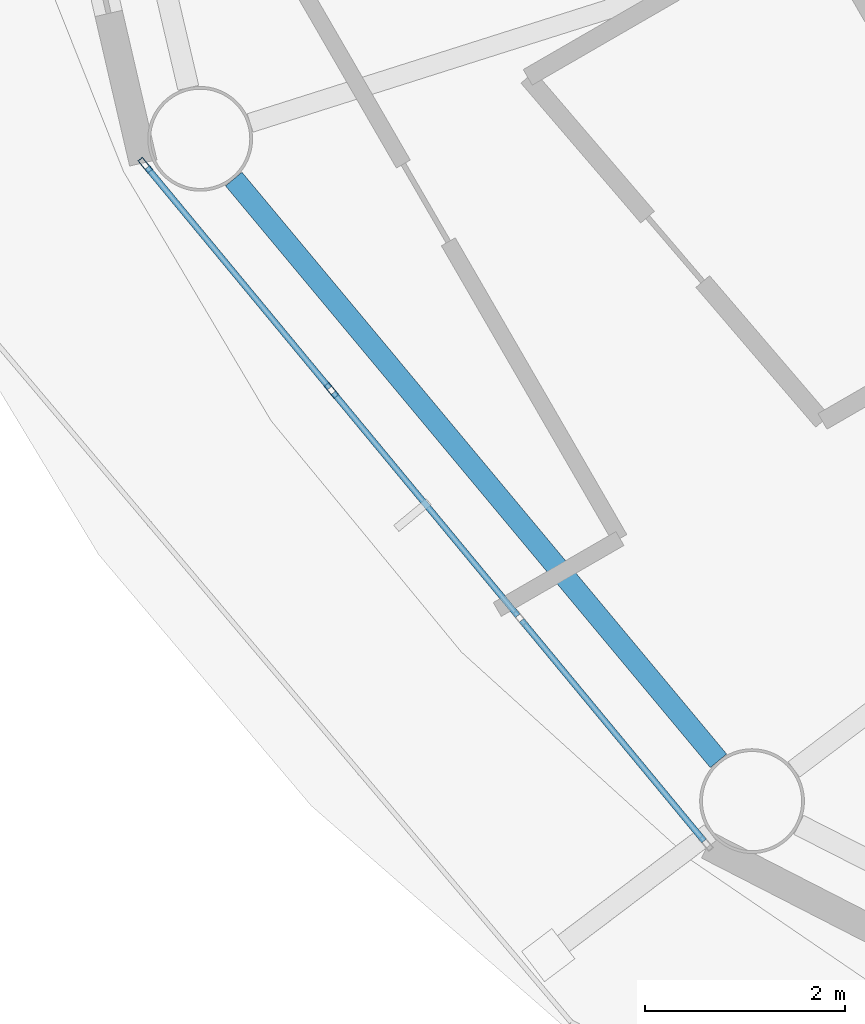
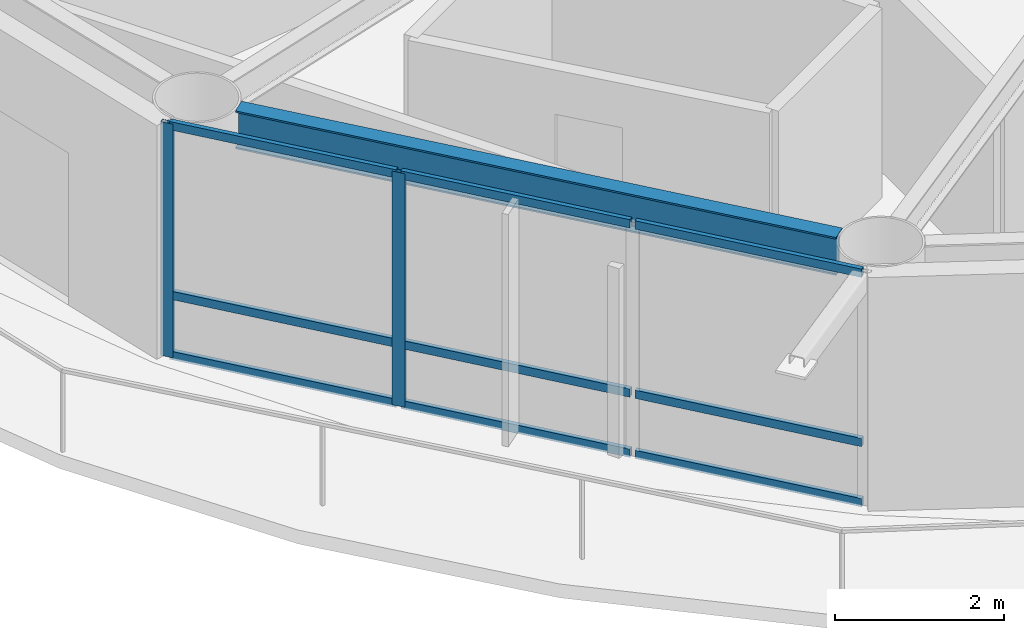
# One storey, part 3 of 28: 11 members, 1 beam, 1 element without a shape of its own.
"""IFC4 building model written with IfcOpenShell, lengths in metres."""

import ifcopenshell
import ifcopenshell.guid

model = None  # the IFC model being written
_history = None  # IfcOwnerHistory: only IFC2X3 demands one
_inside = {}  # id of a spatial element -> (the spatial element, [elements in it])
_under = {}  # id of a project, library or spatial element -> (it, [spatial elements below it])
_declared = {}  # id of a project -> (the project, [libraries it declares])
_typed = {}  # id of a type object -> (the type object, [elements of that type])
_made_of = {}  # id of a material, layer set ... -> (it, [elements and type objects made of it])


def new_model(schema):
    """Start an empty IFC model of exactly this schema.

    Asked for "IFC4X3", IfcOpenShell would pick the latest addendum, in which some entities
    have other attributes; the version numbers below select the first issue.
    IFC2X3 requires an IfcOwnerHistory on every rooted entity: one is made here for all.
    """
    global model, _history
    if schema == "IFC4X3":
        model = ifcopenshell.file(schema_version=(4, 3, 0, 0))
    else:
        model = ifcopenshell.file(schema=schema)
    _inside.clear()
    _under.clear()
    _declared.clear()
    _typed.clear()
    _made_of.clear()
    _history = None
    if model.schema == "IFC2X3":
        org = make("IfcOrganization", Name="unknown")
        user = make(
            "IfcPersonAndOrganization",
            ThePerson=make("IfcPerson", FamilyName="unknown"),
            TheOrganization=org,
        )
        app = make(
            "IfcApplication",
            ApplicationDeveloper=org,
            Version="unknown",
            ApplicationFullName="unknown",
            ApplicationIdentifier="unknown",
        )
        _history = make(
            "IfcOwnerHistory",
            OwningUser=user,
            OwningApplication=app,
            ChangeAction="ADDED",
            CreationDate=0,
        )
    return model


def make(cls, **values):
    """One entity of the class cls with the attributes given. An attribute that is None is left unset."""
    return model.create_entity(
        cls, **{name: value for name, value in values.items() if value is not None}
    )


def rooted(cls, **values):
    """An entity with a GlobalId (a new one), such as an element, a storey or a relation."""
    return make(cls, GlobalId=ifcopenshell.guid.new(), OwnerHistory=_history, **values)


def si_unit(unit_type, name, prefix=None):
    """IfcSIUnit, for example si_unit("LENGTHUNIT", "METRE", prefix="MILLI")."""
    return make("IfcSIUnit", UnitType=unit_type, Prefix=prefix, Name=name)


def assignment(units):
    """IfcUnitAssignment: the units of a project."""
    return None if units is None else make("IfcUnitAssignment", Units=units)


def point(xyz):
    """IfcCartesianPoint."""
    return None if xyz is None else make("IfcCartesianPoint", Coordinates=xyz)


def direction(xyz):
    """IfcDirection."""
    return None if xyz is None else make("IfcDirection", DirectionRatios=xyz)


def frame(location, z_axis=None, x_axis=None):
    """IfcAxis2Placement3D, a coordinate frame: its origin and axes. An axis left out is left unset."""
    return make(
        "IfcAxis2Placement3D",
        Location=point(location),
        Axis=direction(z_axis),
        RefDirection=direction(x_axis),
    )


def frame_2d(location, x_axis=None):
    """IfcAxis2Placement2D, a coordinate frame in the plane: its origin and x axis."""
    return make(
        "IfcAxis2Placement2D", Location=point(location), RefDirection=direction(x_axis)
    )


def origin():
    """The frame at (0, 0, 0) with its axes left unset."""
    return frame((0.0, 0.0, 0.0))


def origin_2d():
    """The frame at (0, 0) in the plane with its x axis left unset."""
    return frame_2d((0.0, 0.0))


def place(relative_to, where):
    """IfcLocalPlacement: puts the frame where relative to a parent placement (None: the world)."""
    return make(
        "IfcLocalPlacement", PlacementRelTo=relative_to, RelativePlacement=where
    )


def context(
    kind, dimensions, precision=None, world=None, true_north=None, identifier=None
):
    """IfcGeometricRepresentationContext, for example the 3D "Model" context."""
    return make(
        "IfcGeometricRepresentationContext",
        ContextIdentifier=identifier,
        ContextType=kind,
        CoordinateSpaceDimension=dimensions,
        Precision=precision,
        WorldCoordinateSystem=world,
        TrueNorth=true_north,
    )


def subcontext(parent, identifier, kind, view, scale=None):
    """IfcGeometricRepresentationSubContext, for example "Body" below "Model"."""
    return make(
        "IfcGeometricRepresentationSubContext",
        ContextIdentifier=identifier,
        ContextType=kind,
        ParentContext=parent,
        TargetScale=scale,
        TargetView=view,
    )


def project(units=None, contexts=None):
    """IfcProject with its units and contexts."""
    return rooted(
        "IfcProject",
        Name="project",
        RepresentationContexts=contexts,
        UnitsInContext=assignment(units),
    )


def spatial(cls, under=None, at=None, **own):
    """A site, building, storey or space (cls), placed at a placement, below another one or the project."""
    s = rooted(cls, ObjectPlacement=at, **own)
    if under is not None:
        _under.setdefault(under.id(), (under, []))[1].append(s)
    return s


def profile(cls, at=None, kind="AREA", **sizes):
    """A parametric profile (cls). Its sizes go by their IFC names, for example OverallWidth=200.0."""
    return make(cls, ProfileType=kind, Position=at, **sizes)


def hollow_rectangle(**sizes):
    """IfcRectangleHollowProfileDef."""
    return profile("IfcRectangleHollowProfileDef", **sizes)


def i_section(**sizes):
    """IfcIShapeProfileDef."""
    return profile("IfcIShapeProfileDef", **sizes)


def extrude(swept, where, along, depth):
    """IfcExtrudedAreaSolid: the profile swept, set in the frame where, extruded along a direction by depth."""
    return make(
        "IfcExtrudedAreaSolid",
        SweptArea=swept,
        Position=where,
        ExtrudedDirection=direction(along),
        Depth=depth,
    )


def shape(context_of_items, identifier, shape_type, items):
    """IfcShapeRepresentation: the items that make up one representation, for example the "Body"."""
    return make(
        "IfcShapeRepresentation",
        ContextOfItems=context_of_items,
        RepresentationIdentifier=identifier,
        RepresentationType=shape_type,
        Items=items,
    )


def material(Name=None, Category=None):
    """IfcMaterial."""
    return make("IfcMaterial", Name=Name, Category=Category)


def layer(
    of_material, thickness, ventilated=None, Name=None, Category=None, Priority=None
):
    """IfcMaterialLayer: one layer of a wall or slab, of a material (None: an air gap)."""
    return make(
        "IfcMaterialLayer",
        Material=of_material,
        LayerThickness=thickness,
        IsVentilated=ventilated,
        Name=Name,
        Category=Category,
        Priority=Priority,
    )


def layer_set(layers, Name=None):
    """IfcMaterialLayerSet."""
    return make("IfcMaterialLayerSet", MaterialLayers=layers, LayerSetName=Name)


def material_profile(
    of_material, cross_section, Name=None, Category=None, Priority=None
):
    """IfcMaterialProfile: a cross section and its material."""
    return make(
        "IfcMaterialProfile",
        Name=Name,
        Material=of_material,
        Profile=cross_section,
        Priority=Priority,
        Category=Category,
    )


def profile_set(profiles, Name=None, composite=None):
    """IfcMaterialProfileSet."""
    return make(
        "IfcMaterialProfileSet",
        Name=Name,
        MaterialProfiles=profiles,
        CompositeProfile=composite,
    )


def made_of(thing, what):
    """Note that an element or type object is made of a material, layer set ...; save() writes the relation."""
    if what is not None:
        _made_of.setdefault(what.id(), (what, []))[1].append(thing)
    return thing


def type_object(cls, material=None, **own):
    """A type object (cls), such as IfcWallType, which elements share."""
    return made_of(rooted(cls, **own), material)


def element(
    cls,
    number,
    at=None,
    inside=None,
    cuts=None,
    type_object=None,
    material=None,
    context=None,
    identifier="Body",
    shape_type=None,
    held_by="IfcProductDefinitionShape",
    body=None,
    shapes=None,
    **own,
):
    """One element of the class cls, such as IfcWall. Its Tag is "e" and its number.

    at: its placement. inside: the storey or other place that contains it. cuts: it is an
    opening in that element (IfcRelVoidsElement). A single representation is given by context,
    identifier, shape_type and body (its items); several are given by shapes. held_by: the class
    of the entity that holds the representations. save() writes the other relations.
    """
    e = rooted(cls, Tag="e%d" % number, ObjectPlacement=at, **own)
    if body is not None:
        shapes = [shape(context, identifier, shape_type, body)]
    if shapes is not None:
        e.Representation = make(held_by, Representations=shapes)
    if inside is not None:
        _inside.setdefault(inside.id(), (inside, []))[1].append(e)
    if cuts is not None:
        rooted(
            "IfcRelVoidsElement", RelatingBuildingElement=cuts, RelatedOpeningElement=e
        )
    if type_object is not None:
        _typed.setdefault(type_object.id(), (type_object, []))[1].append(e)
    return made_of(e, material)


def aggregate(whole, parts):
    """IfcRelAggregates: a whole, such as a stair, and the parts it consists of."""
    return rooted("IfcRelAggregates", RelatingObject=whole, RelatedObjects=parts)


def save(model, path):
    """Write the relations noted so far, then the file.

    IfcRelAggregates (storeys below a building ...), IfcRelContainedInSpatialStructure (elements
    in a storey), IfcRelDefinesByType, IfcRelAssociatesMaterial and IfcRelDeclares: one each for
    every whole, place, type object, material and project.
    """
    for whole, parts in _under.values():
        aggregate(whole, parts)
    for where, things in _inside.values():
        rooted(
            "IfcRelContainedInSpatialStructure",
            RelatedElements=things,
            RelatingStructure=where,
        )
    for kind, things in _typed.values():
        rooted("IfcRelDefinesByType", RelatedObjects=things, RelatingType=kind)
    for what, things in _made_of.values():
        rooted("IfcRelAssociatesMaterial", RelatedObjects=things, RelatingMaterial=what)
    for by, libraries in _declared.values():
        rooted("IfcRelDeclares", RelatingContext=by, RelatedDefinitions=libraries)
    model.write(path)


model = new_model("IFC4")

# Units and contexts
model_context = context("Model", 3, precision=1e-05, world=origin(), true_north=direction((0.0, 1.0)))
body_context = subcontext(model_context, "Body", "Model", "MODEL_VIEW")
ifc_project = project(units=[si_unit("LENGTHUNIT", "METRE"), si_unit("AREAUNIT", "SQUARE_METRE"), si_unit("VOLUMEUNIT", "CUBIC_METRE"), si_unit("PLANEANGLEUNIT", "RADIAN"), si_unit("MASSUNIT", "GRAM", prefix="KILO")], contexts=[model_context])

# Site, building, storey
site_placement = place(None, origin())
site = spatial("IfcSite", under=ifc_project, at=site_placement, CompositionType="ELEMENT")
building_placement = place(site_placement, origin())
building = spatial("IfcBuilding", under=site, at=building_placement, Name="Sarneth Arch Tower", CompositionType="ELEMENT")
storey_placement = place(building_placement, frame((0.0, 0.0, 172.199951171875)))
storey = spatial("IfcBuildingStorey", under=building, at=storey_placement, Name="L43", CompositionType="ELEMENT", Elevation=172.199951171875)

# Beam
ifc_material_1 = material(Name="Steel S355", Category="steel")
ifc_material_profile_1 = material_profile(ifc_material_1, i_section(OverallWidth=0.214111328125, OverallDepth=0.549072265625, WebThickness=0.0146484375, FlangeThickness=0.023681640625, FilletRadius=0.01806640625, at=origin_2d()), Name="W530x138")
ifc_profile_set_1 = profile_set([ifc_material_profile_1], Name="Steel S355")
beam_type = type_object("IfcBeamType", Name="BM-RAD-530A", PredefinedType="BEAM", material=ifc_profile_set_1)
beam_placement = place(storey_placement, frame((23.673828125, 33.770751953125, 3.10546875), z_axis=(0.640171737024, -0.768231831621, 0.0), x_axis=(0.768231831621, 0.640171737024, 0.0)))
element("IfcBeam", 1, at=beam_placement, inside=storey, type_object=beam_type, Name="L43 Perimeter spandrel beam 10", PredefinedType="BEAM", context=body_context, shape_type="SweptSolid", body=[
    extrude(i_section(OverallWidth=0.214111328125, OverallDepth=0.549072265625, WebThickness=0.0146484375, FlangeThickness=0.023681640625, FilletRadius=0.01806640625, at=origin_2d()), origin(), (0.0, 0.0, 1.0), 7.585693359375),
])

# Curtain wall, members
ifc_material_2 = material(Name="Anodised aluminium Type AA25 and solar-control low-e laminated IGU", Category="aluminium")
ifc_layer = layer(ifc_material_2, 0.169921875)
ifc_layer_set = layer_set([ifc_layer], Name="Anodised aluminium Type AA25 and solar-control low-e laminated IGU")
curtain_wall_type = type_object("IfcCurtainWallType", Name="CW-RES-MID", PredefinedType="NOTDEFINED", material=ifc_layer_set)
curtain_wall_placement = place(storey_placement, origin())
curtain_wall = element("IfcCurtainWall", 2, at=curtain_wall_placement, inside=storey, type_object=curtain_wall_type, Name="L43 Unitised curtain wall facet 10", PredefinedType="NOTDEFINED")
ifc_material_3 = material(Name="Anodised Aluminium 6063-T6", Category="aluminium")
ifc_material_profile_2 = material_profile(ifc_material_3, hollow_rectangle(XDim=0.06005859375, YDim=0.159912109375, WallThickness=0.00390625, at=origin_2d()), Name="AL-MULL-160x60x4")
ifc_profile_set_2 = profile_set([ifc_material_profile_2], Name="Anodised Aluminium 6063-T6")
member_type_1 = type_object("IfcMemberType", Name="CW-MULLION", PredefinedType="MULLION", material=ifc_profile_set_2)
member_1_placement = place(storey_placement, frame((22.786865234375, 33.909912109375, 0.0), z_axis=(0.0, 0.0, 1.0), x_axis=(0.770590741276, 0.637330298558, 0.0)))
member_1 = element("IfcMember", 3, at=member_1_placement, type_object=member_type_1, Name="CW-SYS-5 mullion 1", PredefinedType="MULLION", context=body_context, shape_type="SweptSolid", body=[
    extrude(hollow_rectangle(XDim=0.06005859375, YDim=0.159912109375, WallThickness=0.00390625, at=origin_2d()), origin(), (0.0, 0.0, 1.0), 3.380126953125),
])
member_2_placement = place(storey_placement, frame((24.653076171875, 31.6533203125, 0.0), z_axis=(0.0, 0.0, 1.0), x_axis=(0.770590741276, 0.637330298558, 0.0)))
member_2 = element("IfcMember", 4, at=member_2_placement, type_object=member_type_1, Name="CW-SYS-5 mullion 2", PredefinedType="MULLION", context=body_context, shape_type="SweptSolid", body=[
    extrude(hollow_rectangle(XDim=0.06005859375, YDim=0.159912109375, WallThickness=0.00390625, at=origin_2d()), origin(), (0.0, 0.0, 1.0), 3.380126953125),
])
ifc_material_4 = material(Name="Anodised Aluminium 6063-T6", Category="aluminium")
ifc_material_profile_3 = material_profile(ifc_material_4, hollow_rectangle(XDim=0.06005859375, YDim=0.1201171875, WallThickness=0.00390625, at=origin_2d()), Name="AL-TRAN-120x60x4")
ifc_profile_set_3 = profile_set([ifc_material_profile_3], Name="Anodised Aluminium 6063-T6")
member_type_2 = type_object("IfcMemberType", Name="CW-TRANSOM", PredefinedType="USERDEFINED", material=ifc_profile_set_3)
member_3_placement = place(storey_placement, frame((22.805908203125, 33.88671875, 0.030029296875), z_axis=(0.637358651504, -0.770567290607, 0.0), x_axis=(0.770567290607, 0.637358651504, 0.0)))
member_3 = element("IfcMember", 5, at=member_3_placement, type_object=member_type_2, Name="CW-SYS-5 transom 1.1", ObjectType="TRANSOM", PredefinedType="USERDEFINED", context=body_context, shape_type="SweptSolid", body=[
    extrude(hollow_rectangle(XDim=0.06005859375, YDim=0.1201171875, WallThickness=0.00390625, at=origin_2d()), origin(), (0.0, 0.0, 1.0), 2.8681640625),
])
member_4_placement = place(storey_placement, frame((22.805908203125, 33.88671875, 0.900146484375), z_axis=(0.637358651504, -0.770567290607, 0.0), x_axis=(0.770567290607, 0.637358651504, 0.0)))
member_4 = element("IfcMember", 6, at=member_4_placement, type_object=member_type_2, Name="CW-SYS-5 transom 1.2", ObjectType="TRANSOM", PredefinedType="USERDEFINED", context=body_context, shape_type="SweptSolid", body=[
    extrude(hollow_rectangle(XDim=0.06005859375, YDim=0.1201171875, WallThickness=0.00390625, at=origin_2d()), origin(), (0.0, 0.0, 1.0), 2.8681640625),
])
member_5_placement = place(storey_placement, frame((22.805908203125, 33.88671875, 3.35009765625), z_axis=(0.637358651504, -0.770567290607, 0.0), x_axis=(0.770567290607, 0.637358651504, 0.0)))
member_5 = element("IfcMember", 7, at=member_5_placement, type_object=member_type_2, Name="CW-SYS-5 transom 1.3", ObjectType="TRANSOM", PredefinedType="USERDEFINED", context=body_context, shape_type="SweptSolid", body=[
    extrude(hollow_rectangle(XDim=0.06005859375, YDim=0.1201171875, WallThickness=0.00390625, at=origin_2d()), origin(), (0.0, 0.0, 1.0), 2.8681640625),
])
member_6_placement = place(storey_placement, frame((24.672119140625, 31.63037109375, 0.030029296875), z_axis=(0.637329777791, -0.770591171985, 0.0), x_axis=(0.770591171985, 0.637329777791, 0.0)))
member_6 = element("IfcMember", 8, at=member_6_placement, type_object=member_type_2, Name="CW-SYS-5 transom 2.1", ObjectType="TRANSOM", PredefinedType="USERDEFINED", context=body_context, shape_type="SweptSolid", body=[
    extrude(hollow_rectangle(XDim=0.06005859375, YDim=0.1201171875, WallThickness=0.00390625, at=origin_2d()), origin(), (0.0, 0.0, 1.0), 2.898193359375),
])
member_7_placement = place(storey_placement, frame((24.672119140625, 31.63037109375, 0.900146484375), z_axis=(0.637329777791, -0.770591171985, 0.0), x_axis=(0.770591171985, 0.637329777791, 0.0)))
member_7 = element("IfcMember", 9, at=member_7_placement, type_object=member_type_2, Name="CW-SYS-5 transom 2.2", ObjectType="TRANSOM", PredefinedType="USERDEFINED", context=body_context, shape_type="SweptSolid", body=[
    extrude(hollow_rectangle(XDim=0.06005859375, YDim=0.1201171875, WallThickness=0.00390625, at=origin_2d()), origin(), (0.0, 0.0, 1.0), 2.898193359375),
])
member_8_placement = place(storey_placement, frame((24.672119140625, 31.63037109375, 3.35009765625), z_axis=(0.637329777791, -0.770591171985, 0.0), x_axis=(0.770591171985, 0.637329777791, 0.0)))
member_8 = element("IfcMember", 10, at=member_8_placement, type_object=member_type_2, Name="CW-SYS-5 transom 2.3", ObjectType="TRANSOM", PredefinedType="USERDEFINED", context=body_context, shape_type="SweptSolid", body=[
    extrude(hollow_rectangle(XDim=0.06005859375, YDim=0.1201171875, WallThickness=0.00390625, at=origin_2d()), origin(), (0.0, 0.0, 1.0), 2.898193359375),
])
member_9_placement = place(storey_placement, frame((26.5576171875, 29.3505859375, 0.030029296875), z_axis=(0.637358651504, -0.770567290607, 0.0), x_axis=(0.770567290607, 0.637358651504, 0.0)))
member_9 = element("IfcMember", 11, at=member_9_placement, type_object=member_type_2, Name="CW-SYS-5 transom 3.1", ObjectType="TRANSOM", PredefinedType="USERDEFINED", context=body_context, shape_type="SweptSolid", body=[
    extrude(hollow_rectangle(XDim=0.06005859375, YDim=0.1201171875, WallThickness=0.00390625, at=origin_2d()), origin(), (0.0, 0.0, 1.0), 2.8681640625),
])
member_10_placement = place(storey_placement, frame((26.5576171875, 29.3505859375, 0.900146484375), z_axis=(0.637358651504, -0.770567290607, 0.0), x_axis=(0.770567290607, 0.637358651504, 0.0)))
member_10 = element("IfcMember", 12, at=member_10_placement, type_object=member_type_2, Name="CW-SYS-5 transom 3.2", ObjectType="TRANSOM", PredefinedType="USERDEFINED", context=body_context, shape_type="SweptSolid", body=[
    extrude(hollow_rectangle(XDim=0.06005859375, YDim=0.1201171875, WallThickness=0.00390625, at=origin_2d()), origin(), (0.0, 0.0, 1.0), 2.8681640625),
])
member_11_placement = place(storey_placement, frame((26.5576171875, 29.3505859375, 3.35009765625), z_axis=(0.637358651504, -0.770567290607, 0.0), x_axis=(0.770567290607, 0.637358651504, 0.0)))
member_11 = element("IfcMember", 13, at=member_11_placement, type_object=member_type_2, Name="CW-SYS-5 transom 3.3", ObjectType="TRANSOM", PredefinedType="USERDEFINED", context=body_context, shape_type="SweptSolid", body=[
    extrude(hollow_rectangle(XDim=0.06005859375, YDim=0.1201171875, WallThickness=0.00390625, at=origin_2d()), origin(), (0.0, 0.0, 1.0), 2.8681640625),
])
aggregate(curtain_wall, [member_1, member_2, member_3, member_4, member_5, member_6, member_7, member_8, member_9, member_10, member_11])

save(model, "model.ifc")
